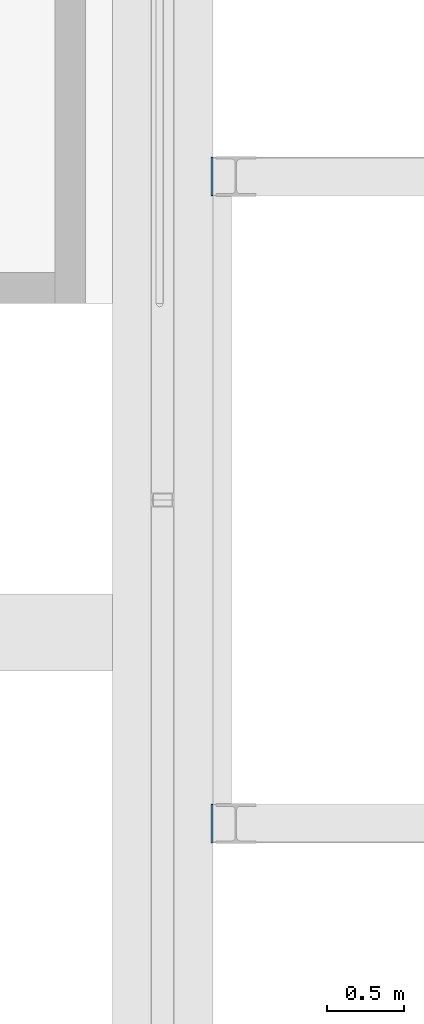
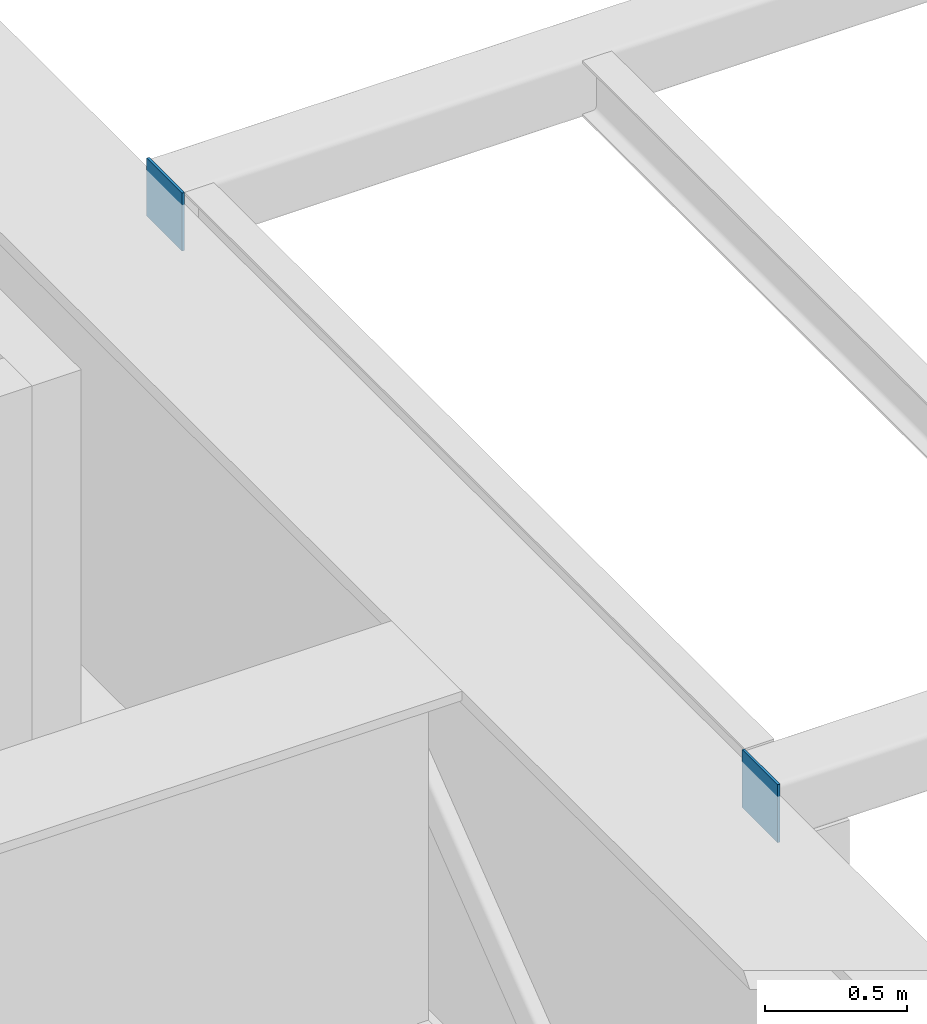
# One storey, part 122 of 153: 2 discrete accessories.
"""IFC4 building model written with IfcOpenShell, lengths in metres."""

from ifc_helpers import new_model, si_unit, direction, frame, origin, origin_2d, place, context, subcontext, project, spatial, rectangle, extrude, material, material_profile, profile_set, type_object, element, save


model = new_model("IFC4")

# Units and contexts
model_context = context("Model", 3, precision=1e-05, world=origin(), true_north=direction((0.0, 1.0)))
body_context = subcontext(model_context, "Body", "Model", "MODEL_VIEW")
ifc_project = project(units=[si_unit("LENGTHUNIT", "METRE"), si_unit("AREAUNIT", "SQUARE_METRE"), si_unit("VOLUMEUNIT", "CUBIC_METRE"), si_unit("PLANEANGLEUNIT", "RADIAN"), si_unit("MASSUNIT", "GRAM", prefix="KILO")], contexts=[model_context])

# Site, building, storey
site_placement = place(None, origin())
site = spatial("IfcSite", under=ifc_project, at=site_placement, CompositionType="ELEMENT")
building_placement = place(site_placement, origin())
building = spatial("IfcBuilding", under=site, at=building_placement, Name="Kallimachos Central Library", CompositionType="ELEMENT")
storey_placement = place(building_placement, frame((0.0, 0.0, 5.39990234375)))
storey = spatial("IfcBuildingStorey", under=building, at=storey_placement, Name="L01", CompositionType="ELEMENT", Elevation=5.39990234375)

# Discrete accessories
ifc_material = material(Name="Steel S355J2", Category="steel")
ifc_material_profile = material_profile(ifc_material, rectangle(XDim=0.25, YDim=0.25, at=origin_2d()), Name="End cap plate 10, 250x250")
ifc_profile_set = profile_set([ifc_material_profile], Name="Steel S355J2")
discrete_accessory_type = type_object("IfcDiscreteAccessoryType", Name="End cap plate 10, 250x250", PredefinedType="BRACKET", material=ifc_profile_set)
for number, where, z_axis, x_axis, name in (
    (1, (110.81494140625, 98.39990234375, 4.22509765625), (1.0, 0.0, 0.0), (0.0, 1.0, 0.0), "End cap plate"),
    (2, (110.81494140625, 102.60009765625, 4.22509765625), (1.0, 0.0, 0.0), (0.0, 1.0, 0.0), "End cap plate"),
):
    element("IfcDiscreteAccessory", number, at=place(storey_placement, frame(where, z_axis=z_axis, x_axis=x_axis)), inside=storey, type_object=discrete_accessory_type, Name=name, PredefinedType="BRACKET", context=body_context, shape_type="SweptSolid", body=[
        extrude(rectangle(XDim=0.25, YDim=0.25, at=origin_2d()), origin(), (0.0, 0.0, 1.0), 0.010009765625),
    ])

save(model, "model.ifc")
